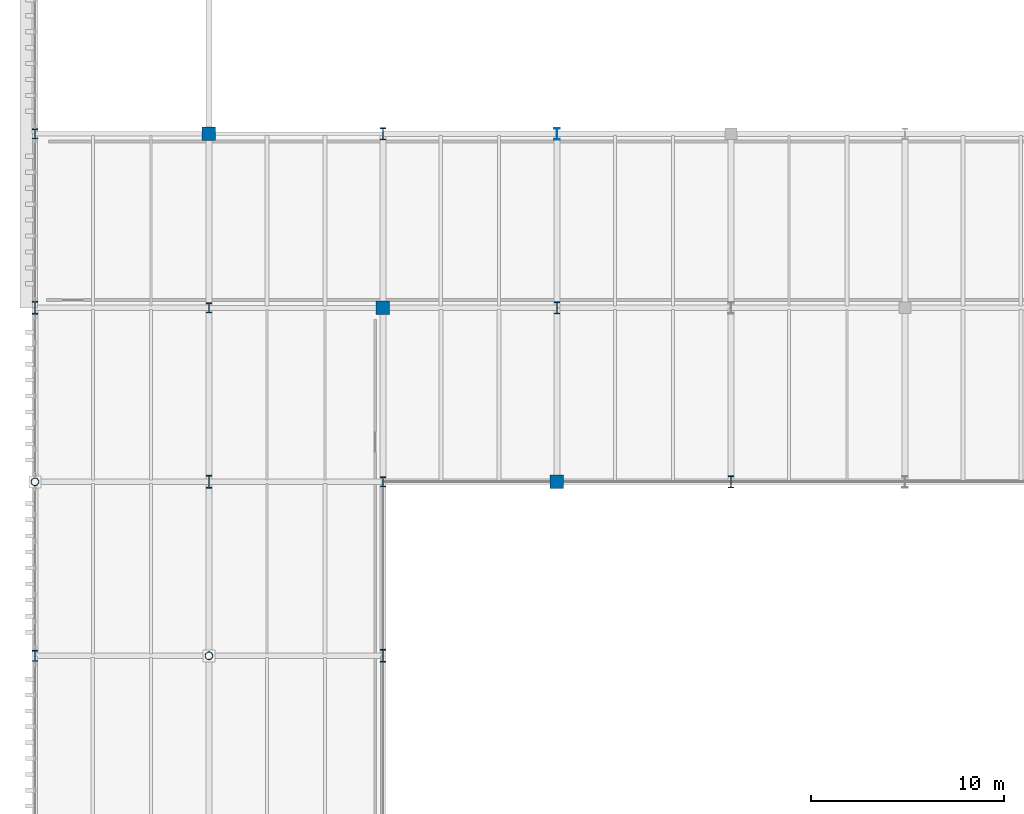
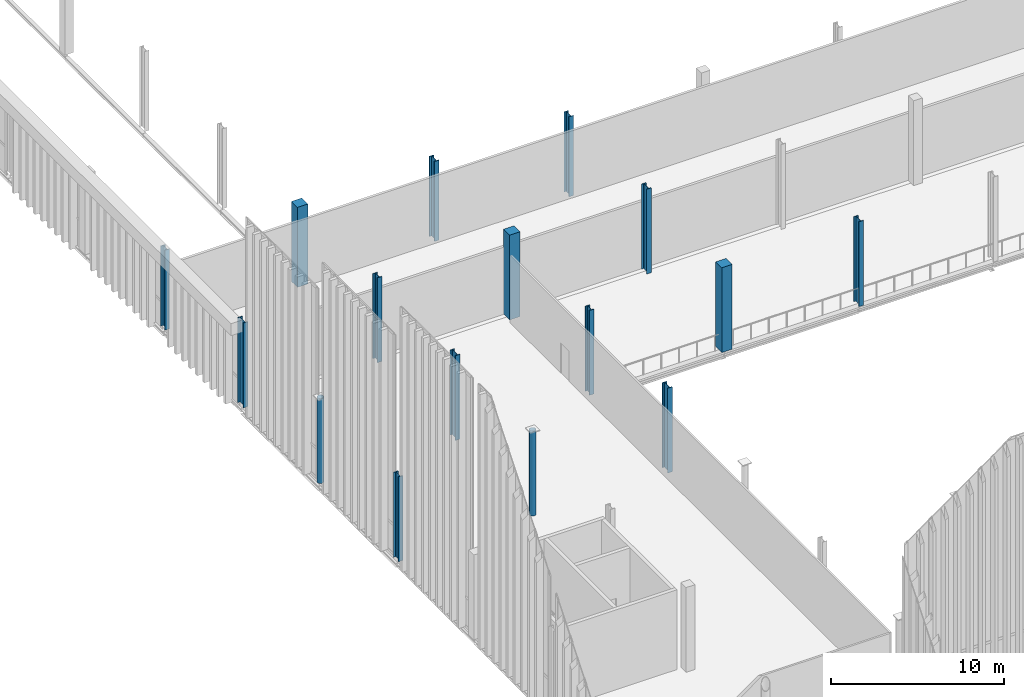
# One storey, part 3 of 237: 16 columns.
"""IFC4 building model written with IfcOpenShell, lengths in metres."""

from ifc_helpers import new_model, si_unit, direction, frame, origin, origin_2d, place, context, subcontext, project, spatial, rectangle, hollow_circle, i_section, extrude, material, material_profile, profile_set, type_object, element, save


model = new_model("IFC4")

# Units and contexts
model_context = context("Model", 3, precision=1e-05, world=origin(), true_north=direction((0.0, 1.0)))
body_context = subcontext(model_context, "Body", "Model", "MODEL_VIEW")
ifc_project = project(units=[si_unit("LENGTHUNIT", "METRE"), si_unit("AREAUNIT", "SQUARE_METRE"), si_unit("VOLUMEUNIT", "CUBIC_METRE"), si_unit("PLANEANGLEUNIT", "RADIAN"), si_unit("MASSUNIT", "GRAM", prefix="KILO")], contexts=[model_context])

# Site, building, storey
site_placement = place(None, origin())
site = spatial("IfcSite", under=ifc_project, at=site_placement, CompositionType="ELEMENT")
building_placement = place(site_placement, origin())
building = spatial("IfcBuilding", under=site, at=building_placement, Name="Barlavento Convention Centre", CompositionType="ELEMENT")
storey_placement = place(building_placement, frame((0.0, 0.0, 12.0)))
storey = spatial("IfcBuildingStorey", under=building, at=storey_placement, Name="L02", CompositionType="ELEMENT", Elevation=12.0)

# Columns
ifc_material_1 = material(Name="Steel S355", Category="steel")
ifc_material_profile_1 = material_profile(ifc_material_1, hollow_circle(Radius=0.203125, WallThickness=0.01611328125, at=origin_2d()), Name="CHS 406.4x16.0")
ifc_profile_set_1 = profile_set([ifc_material_profile_1], Name="Steel S355")
column_type_1 = type_object("IfcColumnType", Name="STR-COL-CHS406", PredefinedType="COLUMN", material=ifc_profile_set_1)
for number, where, z_axis, x_axis, name in (
    (1, (0.0, 45.0, 0.0), (0.0, 0.0, 1.0), (1.0, 0.0, 0.0), "L02 column SC14"),
    (2, (9.0, 36.0, 0.0), (0.0, 0.0, 1.0), (1.0, 0.0, 0.0), "L02 column SC14"),
):
    element("IfcColumn", number, at=place(storey_placement, frame(where, z_axis=z_axis, x_axis=x_axis)), inside=storey, type_object=column_type_1, Name=name, PredefinedType="COLUMN", context=body_context, shape_type="SweptSolid", body=[
        extrude(hollow_circle(Radius=0.203125, WallThickness=0.01611328125, at=origin_2d()), origin(), (0.0, 0.0, 1.0), 6.0),
    ])
ifc_material_profile_2 = material_profile(ifc_material_1, i_section(OverallWidth=0.300048828125, OverallDepth=0.60009765625, WebThickness=0.015380859375, FlangeThickness=0.030029296875, FilletRadius=0.027099609375, at=origin_2d()), Name="HEB 600")
ifc_profile_set_2 = profile_set([ifc_material_profile_2], Name="Steel S355")
column_type_2 = type_object("IfcColumnType", Name="STR-COL-HEB600", PredefinedType="COLUMN", material=ifc_profile_set_2)
column_1_placement = place(storey_placement, frame((27.0, 63.0, 0.0), z_axis=(0.0, 0.0, 1.0), x_axis=(1.0, 0.0, 0.0)))
element("IfcColumn", 3, at=column_1_placement, inside=storey, type_object=column_type_2, Name="L02 column SC08", PredefinedType="COLUMN", context=body_context, shape_type="SweptSolid", body=[
    extrude(i_section(OverallWidth=0.300048828125, OverallDepth=0.60009765625, WebThickness=0.015380859375, FlangeThickness=0.030029296875, FilletRadius=0.027099609375, at=origin_2d()), origin(), (0.0, 0.0, 1.0), 5.655029296875),
])
ifc_material_profile_3 = material_profile(ifc_material_1, i_section(OverallWidth=0.305908203125, OverallDepth=0.52392578125, WebThickness=0.02099609375, FlangeThickness=0.0400390625, FilletRadius=0.027099609375, at=origin_2d()), Name="HEM 500")
ifc_profile_set_3 = profile_set([ifc_material_profile_3], Name="Steel S355")
column_type_3 = type_object("IfcColumnType", Name="STR-COL-HEM500", PredefinedType="COLUMN", material=ifc_profile_set_3)
column_2_placement = place(storey_placement, frame((0.0, 63.0, 0.0), z_axis=(0.0, 0.0, 1.0), x_axis=(1.0, 0.0, 0.0)))
element("IfcColumn", 4, at=column_2_placement, inside=storey, type_object=column_type_3, Name="L02 column SC07", PredefinedType="COLUMN", context=body_context, shape_type="SweptSolid", body=[
    extrude(i_section(OverallWidth=0.305908203125, OverallDepth=0.52392578125, WebThickness=0.02099609375, FlangeThickness=0.0400390625, FilletRadius=0.027099609375, at=origin_2d()), origin(), (0.0, 0.0, 1.0), 5.655029296875),
])
for number, where, z_axis, x_axis, name in (
    (5, (9.0, 54.0, 0.0), (0.0, 0.0, 1.0), (1.0, 0.0, 0.0), "L02 column SC07"),
    (6, (18.0, 45.0, 0.0), (0.0, 0.0, 1.0), (1.0, 0.0, 0.0), "L02 column SC07"),
):
    element("IfcColumn", number, at=place(storey_placement, frame(where, z_axis=z_axis, x_axis=x_axis)), inside=storey, type_object=column_type_3, Name=name, PredefinedType="COLUMN", context=body_context, shape_type="SweptSolid", body=[
        extrude(i_section(OverallWidth=0.305908203125, OverallDepth=0.52392578125, WebThickness=0.02099609375, FlangeThickness=0.0400390625, FilletRadius=0.027099609375, at=origin_2d()), origin(), (0.0, 0.0, 1.0), 6.0),
    ])
ifc_material_profile_4 = material_profile(ifc_material_1, i_section(OverallWidth=0.305908203125, OverallDepth=0.572021484375, WebThickness=0.02099609375, FlangeThickness=0.0400390625, FilletRadius=0.027099609375, at=origin_2d()), Name="HEM 550")
ifc_profile_set_4 = profile_set([ifc_material_profile_4], Name="Steel S355")
column_type_4 = type_object("IfcColumnType", Name="STR-COL-HEM550", PredefinedType="COLUMN", material=ifc_profile_set_4)
column_3_placement = place(storey_placement, frame((0.0, 36.0, 0.0), z_axis=(0.0, 0.0, 1.0), x_axis=(1.0, 0.0, 0.0)))
element("IfcColumn", 7, at=column_3_placement, inside=storey, type_object=column_type_4, Name="L02 column SC06", PredefinedType="COLUMN", context=body_context, shape_type="SweptSolid", body=[
    extrude(i_section(OverallWidth=0.305908203125, OverallDepth=0.572021484375, WebThickness=0.02099609375, FlangeThickness=0.0400390625, FilletRadius=0.027099609375, at=origin_2d()), origin(), (0.0, 0.0, 1.0), 6.0),
])
ifc_material_profile_5 = material_profile(ifc_material_1, i_section(OverallWidth=0.304931640625, OverallDepth=0.6201171875, WebThickness=0.02099609375, FlangeThickness=0.0400390625, FilletRadius=0.027099609375, at=origin_2d()), Name="HEM 600")
ifc_profile_set_5 = profile_set([ifc_material_profile_5], Name="Steel S355")
column_type_5 = type_object("IfcColumnType", Name="STR-COL-HEM600", PredefinedType="COLUMN", material=ifc_profile_set_5)
column_4_placement = place(storey_placement, frame((18.0, 63.0, 0.0), z_axis=(0.0, 0.0, 1.0), x_axis=(1.0, 0.0, 0.0)))
element("IfcColumn", 8, at=column_4_placement, inside=storey, type_object=column_type_5, Name="L02 column SC05", PredefinedType="COLUMN", context=body_context, shape_type="SweptSolid", body=[
    extrude(i_section(OverallWidth=0.304931640625, OverallDepth=0.6201171875, WebThickness=0.02099609375, FlangeThickness=0.0400390625, FilletRadius=0.027099609375, at=origin_2d()), origin(), (0.0, 0.0, 1.0), 5.655029296875),
])
for number, where, z_axis, x_axis, name in (
    (9, (27.0, 54.0, 0.0), (0.0, 0.0, 1.0), (1.0, 0.0, 0.0), "L02 column SC05"),
    (10, (36.0, 45.0, 0.0), (0.0, 0.0, 1.0), (1.0, 0.0, 0.0), "L02 column SC05"),
):
    element("IfcColumn", number, at=place(storey_placement, frame(where, z_axis=z_axis, x_axis=x_axis)), inside=storey, type_object=column_type_5, Name=name, PredefinedType="COLUMN", context=body_context, shape_type="SweptSolid", body=[
        extrude(i_section(OverallWidth=0.304931640625, OverallDepth=0.6201171875, WebThickness=0.02099609375, FlangeThickness=0.0400390625, FilletRadius=0.027099609375, at=origin_2d()), origin(), (0.0, 0.0, 1.0), 6.0),
    ])
ifc_material_2 = material(Name="Steel S460", Category="steel")
ifc_material_profile_6 = material_profile(ifc_material_2, i_section(OverallWidth=0.304931640625, OverallDepth=0.66796875, WebThickness=0.02099609375, FlangeThickness=0.0400390625, FilletRadius=0.027099609375, at=origin_2d()), Name="HEM 650")
ifc_profile_set_6 = profile_set([ifc_material_profile_6], Name="Steel S460")
column_type_6 = type_object("IfcColumnType", Name="STR-COL-HEM650", PredefinedType="COLUMN", material=ifc_profile_set_6)
for number, where, z_axis, x_axis, name in (
    (11, (0.0, 54.0, 0.0), (0.0, 0.0, 1.0), (1.0, 0.0, 0.0), "L02 column SC04"),
    (12, (9.0, 45.0, 0.0), (0.0, 0.0, 1.0), (1.0, 0.0, 0.0), "L02 column SC04"),
    (13, (18.0, 36.0, 0.0), (0.0, 0.0, 1.0), (1.0, 0.0, 0.0), "L02 column SC04"),
):
    element("IfcColumn", number, at=place(storey_placement, frame(where, z_axis=z_axis, x_axis=x_axis)), inside=storey, type_object=column_type_6, Name=name, PredefinedType="COLUMN", context=body_context, shape_type="SweptSolid", body=[
        extrude(i_section(OverallWidth=0.304931640625, OverallDepth=0.66796875, WebThickness=0.02099609375, FlangeThickness=0.0400390625, FilletRadius=0.027099609375, at=origin_2d()), origin(), (0.0, 0.0, 1.0), 6.0),
    ])
ifc_material_3 = material(Name="Concrete C40/50", Category="concrete")
ifc_material_profile_7 = material_profile(ifc_material_3, rectangle(XDim=0.699951171875, YDim=0.699951171875, at=origin_2d()), Name="RC 700x700")
ifc_profile_set_7 = profile_set([ifc_material_profile_7], Name="Concrete C40/50")
column_type_7 = type_object("IfcColumnType", Name="STR-COL-RC700", PredefinedType="COLUMN", material=ifc_profile_set_7)
column_5_placement = place(storey_placement, frame((9.0, 63.0, 0.0), z_axis=(0.0, 0.0, 1.0), x_axis=(1.0, 0.0, 0.0)))
element("IfcColumn", 14, at=column_5_placement, inside=storey, type_object=column_type_7, Name="L02 column CC06", PredefinedType="COLUMN", context=body_context, shape_type="SweptSolid", body=[
    extrude(rectangle(XDim=0.699951171875, YDim=0.699951171875, at=origin_2d()), origin(), (0.0, 0.0, 1.0), 5.655029296875),
])
for number, where, z_axis, x_axis, name in (
    (15, (18.0, 54.0, 0.0), (0.0, 0.0, 1.0), (1.0, 0.0, 0.0), "L02 column CC06"),
    (16, (27.0, 45.0, 0.0), (0.0, 0.0, 1.0), (1.0, 0.0, 0.0), "L02 column CC06"),
):
    element("IfcColumn", number, at=place(storey_placement, frame(where, z_axis=z_axis, x_axis=x_axis)), inside=storey, type_object=column_type_7, Name=name, PredefinedType="COLUMN", context=body_context, shape_type="SweptSolid", body=[
        extrude(rectangle(XDim=0.699951171875, YDim=0.699951171875, at=origin_2d()), origin(), (0.0, 0.0, 1.0), 6.0),
    ])

save(model, "model.ifc")
